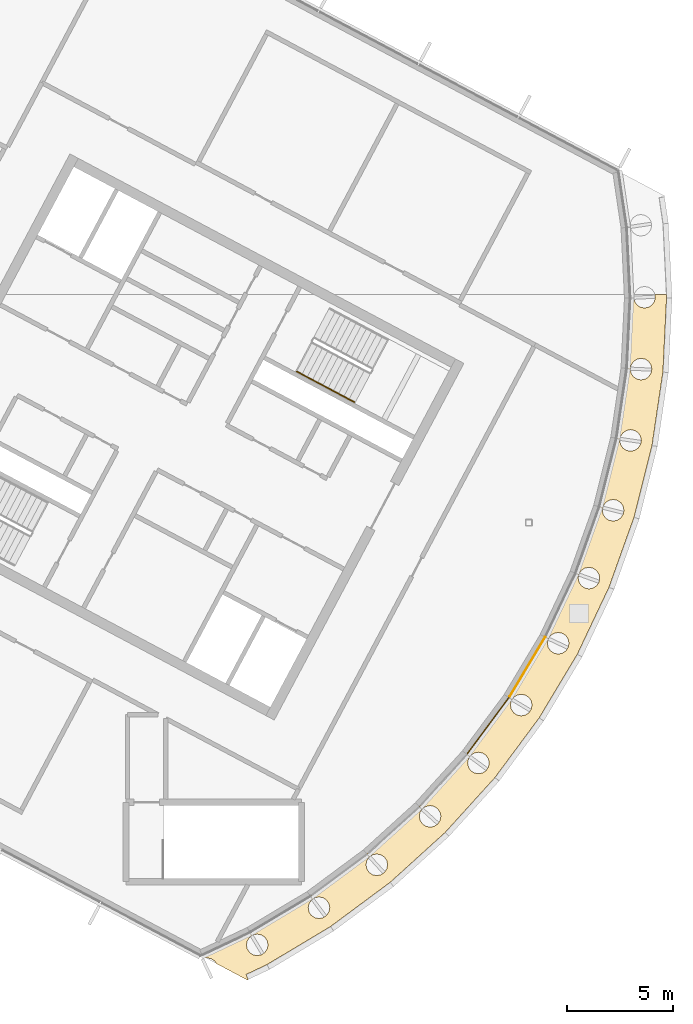
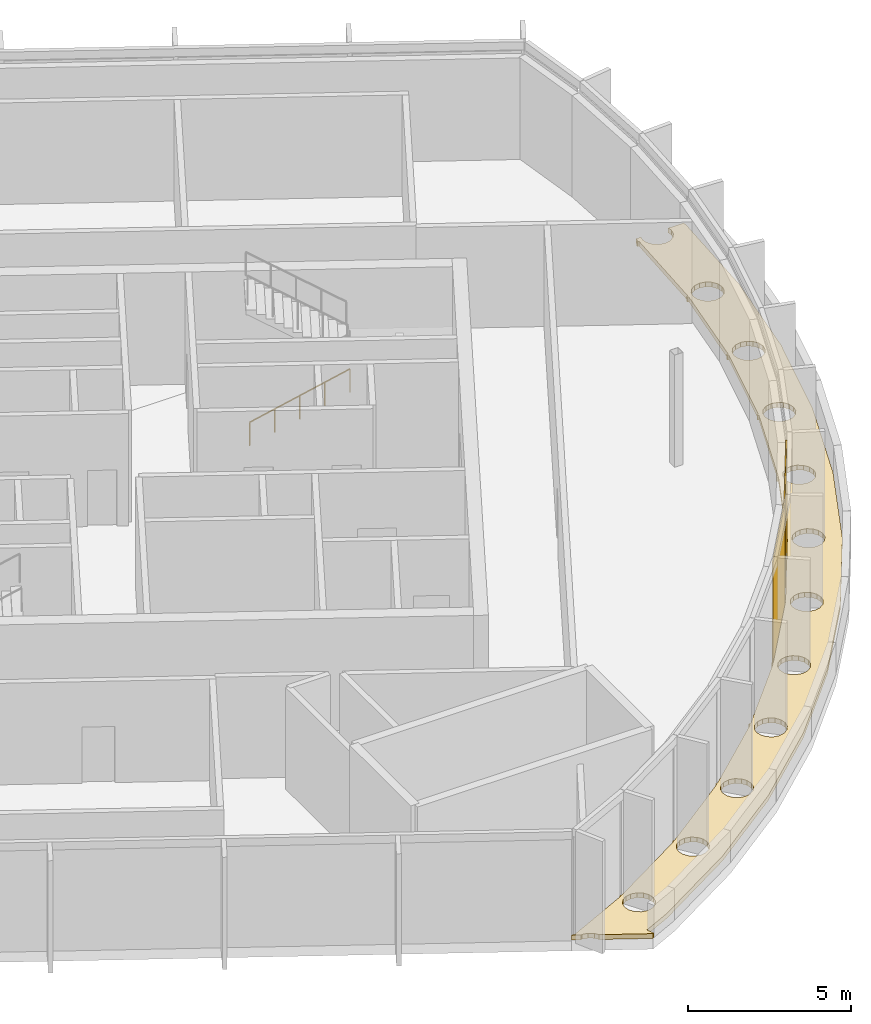
# One storey, part 11 of 13: 3 coverings, 1 railing, 2 elements without a shape of their own.
"""IFC4 building model written with IfcOpenShell, lengths in metres."""

from ifc_helpers import new_model, si_unit, direction, frame, origin, origin_2d, place, context, subcontext, project, spatial, polyline, rectangle, outline, extrude, material, layer, layer_set, type_object, element, aggregate, save


model = new_model("IFC4")

# Units and contexts
model_context = context("Model", 3, precision=1e-05, world=origin(), true_north=direction((0.0, 1.0)))
body_context = subcontext(model_context, "Body", "Model", "MODEL_VIEW")
ifc_project = project(units=[si_unit("LENGTHUNIT", "METRE"), si_unit("AREAUNIT", "SQUARE_METRE"), si_unit("VOLUMEUNIT", "CUBIC_METRE"), si_unit("PLANEANGLEUNIT", "RADIAN"), si_unit("MASSUNIT", "GRAM", prefix="KILO")], contexts=[model_context])

# Site, building, storey
site_placement = place(None, origin())
site = spatial("IfcSite", under=ifc_project, at=site_placement, CompositionType="ELEMENT")
building_placement = place(site_placement, origin())
building = spatial("IfcBuilding", under=site, at=building_placement, Name="Cormorant Relay Tower", CompositionType="ELEMENT")
storey_placement = place(building_placement, frame((0.0, 0.0, 353.39990234375)))
storey = spatial("IfcBuildingStorey", under=building, at=storey_placement, Name="C7", CompositionType="ELEMENT", Elevation=353.39990234375)

# Curtain wall, covering
ifc_material_1 = material(Name="Aluminium 6063-T6 anodised bronze", Category="aluminium")
ifc_layer_1 = layer(ifc_material_1, 0.199951171875)
ifc_layer_set_1 = layer_set([ifc_layer_1], Name="CW3 crown screen wall")
curtain_wall_type = type_object("IfcCurtainWallType", Name="CW3 crown screen wall", PredefinedType="NOTDEFINED", material=ifc_layer_set_1)
curtain_wall_1_placement = place(storey_placement, origin())
curtain_wall_1 = element("IfcCurtainWall", 1, at=curtain_wall_1_placement, inside=storey, type_object=curtain_wall_type, Name="CW3 curtain wall 7", PredefinedType="NOTDEFINED")
ifc_material_2 = material(Name="Perforated bronze anodised aluminium screen", Category="aluminium")
ifc_layer_2 = layer(ifc_material_2, 0.0400390625)
ifc_layer_set_2 = layer_set([ifc_layer_2], Name="CW3 perforated bronze screen panel 40")
covering_type_1 = type_object("IfcCoveringType", Name="CW3 perforated bronze screen panel 40", PredefinedType="CLADDING", material=ifc_layer_set_2)
covering_1_placement = place(storey_placement, frame((-12.418212890625, 0.9150390625, 0.000244140625), z_axis=(0.0, 0.0, 1.0), x_axis=(0.595699304492, 0.803207531481, 0.0)))
covering_1 = element("IfcCovering", 2, at=covering_1_placement, type_object=covering_type_1, Name="CW3 panel X00", PredefinedType="CLADDING", context=body_context, shape_type="SweptSolid", body=[
    extrude(rectangle(XDim=3.26171875, YDim=0.0400390625, at=origin_2d()), origin(), (0.0, 0.0, 1.0), 3.89990234375),
])
aggregate(curtain_wall_1, [covering_1])

curtain_wall_2_placement = place(storey_placement, origin())
curtain_wall_2 = element("IfcCurtainWall", 3, at=curtain_wall_2_placement, inside=storey, type_object=curtain_wall_type, Name="CW3 curtain wall 8", PredefinedType="NOTDEFINED")
covering_2_placement = place(storey_placement, frame((-10.568603515625, 3.689697265625, 0.000244140625), z_axis=(0.0, 0.0, 1.0), x_axis=(0.514102744193, 0.85772861, 0.0)))
covering_2 = element("IfcCovering", 4, at=covering_2_placement, type_object=covering_type_1, Name="CW3 panel X00", PredefinedType="CLADDING", context=body_context, shape_type="SweptSolid", body=[
    extrude(rectangle(XDim=3.26171875, YDim=0.0400390625, at=origin_2d()), origin(), (0.0, 0.0, 1.0), 3.89990234375),
])
aggregate(curtain_wall_2, [covering_2])

# Covering
ifc_material_3 = material(Name="Bituminous waterproof membrane on mineral wool insulation")
ifc_layer_3 = layer(ifc_material_3, 0.179931640625)
ifc_layer_set_3 = layer_set([ifc_layer_3], Name="Roof membrane and insulation 180")
covering_type_2 = type_object("IfcCoveringType", Name="Roof membrane and insulation 180", PredefinedType="ROOFING", material=ifc_layer_set_3)
covering_3_placement = place(storey_placement, origin())
element("IfcCovering", 5, at=covering_3_placement, inside=storey, type_object=covering_type_2, Name="Roof membrane", PredefinedType="ROOFING", context=body_context, shape_type="SweptSolid", body=[
    extrude(outline(polyline([(-23.8154296875, -11.12109375), (-25.273193359375, -10.345947265625), (-25.35498046875, -10.2236328125), (-25.5205078125, -10.113037109375), (-25.7158203125, -10.07421875), (-25.765625, -10.084228515625), (-26.013916015625, -9.9521484375), (-25.955810546875, -9.9248046875), (-25.934814453125, -9.968994140625), (-23.6748046875, -8.900146484375), (-23.696044921875, -8.85498046875), (-23.64892578125, -8.82666015625), (-23.623779296875, -8.86865234375), (-20.80908203125, -7.181396484375), (-20.834716796875, -7.138671875), (-20.79052734375, -7.105712890625), (-20.76123046875, -7.145263671875), (-18.12548828125, -5.1904296875), (-18.1552734375, -5.150146484375), (-18.114501953125, -5.11328125), (-18.08154296875, -5.1494140625), (-15.64990234375, -2.94580078125), (-15.68359375, -2.90869140625), (-15.646484375, -2.867919921875), (-15.6103515625, -2.90087890625), (-13.406494140625, -0.46923828125), (-13.443603515625, -0.435791015625), (-13.410888671875, -0.3916015625), (-13.371337890625, -0.4208984375), (-11.41650390625, 2.215087890625), (-11.456787109375, 2.244873046875), (-11.428466796875, 2.2919921875), (-11.386474609375, 2.266845703125), (-9.69921875, 5.08154296875), (-9.7421875, 5.107421875), (-9.718505859375, 5.156982421875), (-9.67431640625, 5.135986328125), (-8.271240234375, 8.1025390625), (-8.31640625, 8.1240234375), (-8.2978515625, 8.17578125), (-8.251708984375, 8.1591796875), (-7.146240234375, 11.2490234375), (-7.193359375, 11.265869140625), (-7.179931640625, 11.3193359375), (-7.13232421875, 11.3076171875), (-6.3349609375, 14.49072265625), (-6.383544921875, 14.5029296875), (-6.37548828125, 14.557373046875), (-6.326904296875, 14.55029296875), (-5.845458984375, 17.796142578125), (-5.89501953125, 17.8037109375), (-5.89208984375, 17.8583984375), (-5.84326171875, 17.856201171875), (-5.68212890625, 21.1337890625), (-5.732177734375, 21.13623046875), (-5.73486328125, 21.191162109375), (-5.685791015625, 21.193603515625), (-5.691162109375, 21.300048828125), (-5.51611328125, 21.300048828125), (-5.543701171875, 21.16064453125), (-5.5048828125, 20.96533203125), (-5.394287109375, 20.7998046875), (-5.228759765625, 20.689208984375), (-5.033447265625, 20.650390625), (-4.83837890625, 20.689208984375), (-4.672607421875, 20.7998046875), (-4.56201171875, 20.96533203125), (-4.523193359375, 21.16064453125), (-4.551025390625, 21.300048828125), (-4.00146484375, 21.300048828125), (-3.992919921875, 21.126220703125), (-4.1650390625, 17.623046875), (-4.6796875, 14.15380859375), (-5.531982421875, 10.75146484375), (-6.71337890625, 7.44921875), (-8.212890625, 4.278564453125), (-10.01611328125, 1.270263671875), (-12.10546875, -1.546875), (-14.4609375, -4.1455078125), (-17.0595703125, -6.5009765625), (-19.876708984375, -8.590087890625), (-22.885009765625, -10.393310546875), (-23.87890625, -10.86328125), (-23.767822265625, -11.098388671875), (-23.8154296875, -11.12109375)]), holes=[polyline([(-5.392333984375, 17.287841796875), (-5.197265625, 17.2490234375), (-5.001953125, 17.287841796875), (-4.83642578125, 17.3984375), (-4.725830078125, 17.564208984375), (-4.68701171875, 17.75927734375), (-4.725830078125, 17.95458984375), (-4.83642578125, 18.1201171875), (-5.001953125, 18.230712890625), (-5.197265625, 18.26953125), (-5.392333984375, 18.230712890625), (-5.55810546875, 18.1201171875), (-5.668701171875, 17.95458984375), (-5.70751953125, 17.75927734375), (-5.668701171875, 17.564208984375), (-5.55810546875, 17.3984375), (-5.392333984375, 17.287841796875)]), polyline([(-5.693603515625, 13.880126953125), (-5.498291015625, 13.9189453125), (-5.332763671875, 14.029541015625), (-5.22216796875, 14.1953125), (-5.183349609375, 14.390380859375), (-5.22216796875, 14.585693359375), (-5.332763671875, 14.751220703125), (-5.498291015625, 14.86181640625), (-5.693603515625, 14.900634765625), (-5.888671875, 14.86181640625), (-6.05419921875, 14.751220703125), (-6.164794921875, 14.585693359375), (-6.20361328125, 14.390380859375), (-6.164794921875, 14.1953125), (-6.05419921875, 14.029541015625), (-5.888671875, 13.9189453125), (-5.693603515625, 13.880126953125)]), polyline([(-6.712890625, 10.614990234375), (-6.517578125, 10.576416015625), (-6.322509765625, 10.614990234375), (-6.15673828125, 10.7255859375), (-6.046142578125, 10.891357421875), (-6.00732421875, 11.08642578125), (-6.046142578125, 11.28173828125), (-6.15673828125, 11.447265625), (-6.322509765625, 11.557861328125), (-6.517578125, 11.5966796875), (-6.712890625, 11.557861328125), (-6.87841796875, 11.447265625), (-6.989013671875, 11.28173828125), (-7.02783203125, 11.08642578125), (-6.989013671875, 10.891357421875), (-6.87841796875, 10.7255859375), (-6.712890625, 10.614990234375)]), polyline([(-7.66162109375, 7.368896484375), (-7.466552734375, 7.40771484375), (-7.30078125, 7.518310546875), (-7.190185546875, 7.68408203125), (-7.151611328125, 7.879150390625), (-7.190185546875, 8.074462890625), (-7.30078125, 8.239990234375), (-7.466552734375, 8.3505859375), (-7.66162109375, 8.389404296875), (-7.85693359375, 8.3505859375), (-8.0224609375, 8.239990234375), (-8.133056640625, 8.074462890625), (-8.171875, 7.879150390625), (-8.133056640625, 7.68408203125), (-8.0224609375, 7.518310546875), (-7.85693359375, 7.40771484375), (-7.66162109375, 7.368896484375)]), polyline([(-9.114501953125, 4.289306640625), (-8.919189453125, 4.327880859375), (-8.753662109375, 4.438720703125), (-8.64306640625, 4.604248046875), (-8.604248046875, 4.79931640625), (-8.64306640625, 4.99462890625), (-8.753662109375, 5.16015625), (-8.919189453125, 5.270751953125), (-9.114501953125, 5.3095703125), (-9.309814453125, 5.270751953125), (-9.475341796875, 5.16015625), (-9.5859375, 4.99462890625), (-9.624755859375, 4.79931640625), (-9.5859375, 4.604248046875), (-9.475341796875, 4.438720703125), (-9.309814453125, 4.327880859375), (-9.114501953125, 4.289306640625)]), polyline([(-11.0576171875, 1.405517578125), (-10.8623046875, 1.36669921875), (-10.6669921875, 1.405517578125), (-10.50146484375, 1.51611328125), (-10.390869140625, 1.681884765625), (-10.35205078125, 1.876953125), (-10.390869140625, 2.072265625), (-10.50146484375, 2.23779296875), (-10.6669921875, 2.348388671875), (-10.8623046875, 2.38720703125), (-11.0576171875, 2.348388671875), (-11.22314453125, 2.23779296875), (-11.333740234375, 2.072265625), (-11.37255859375, 1.876953125), (-11.333740234375, 1.681884765625), (-11.22314453125, 1.51611328125), (-11.0576171875, 1.405517578125)]), polyline([(-12.887939453125, -1.370361328125), (-12.69287109375, -1.33154296875), (-12.527099609375, -1.220947265625), (-12.41650390625, -1.055419921875), (-12.377685546875, -0.860107421875), (-12.41650390625, -0.664794921875), (-12.527099609375, -0.499267578125), (-12.69287109375, -0.388671875), (-12.887939453125, -0.349853515625), (-13.083251953125, -0.388671875), (-13.248779296875, -0.499267578125), (-13.359375, -0.664794921875), (-13.398193359375, -0.860107421875), (-13.359375, -1.055419921875), (-13.248779296875, -1.220947265625), (-13.083251953125, -1.33154296875), (-12.887939453125, -1.370361328125)]), polyline([(-15.367431640625, -3.85693359375), (-15.17236328125, -3.895751953125), (-14.97705078125, -3.85693359375), (-14.8115234375, -3.746337890625), (-14.700927734375, -3.580810546875), (-14.662109375, -3.385498046875), (-14.700927734375, -3.190185546875), (-14.8115234375, -3.024658203125), (-14.97705078125, -2.9140625), (-15.17236328125, -2.875244140625), (-15.367431640625, -2.9140625), (-15.533203125, -3.024658203125), (-15.643798828125, -3.190185546875), (-15.6826171875, -3.385498046875), (-15.643798828125, -3.580810546875), (-15.533203125, -3.746337890625), (-15.367431640625, -3.85693359375)]), polyline([(-17.693115234375, -6.18505859375), (-17.498046875, -6.146240234375), (-17.33251953125, -6.03564453125), (-17.2216796875, -5.8701171875), (-17.18310546875, -5.6748046875), (-17.2216796875, -5.4794921875), (-17.33251953125, -5.31396484375), (-17.498046875, -5.203369140625), (-17.693115234375, -5.16455078125), (-17.888427734375, -5.203369140625), (-18.053955078125, -5.31396484375), (-18.16455078125, -5.4794921875), (-18.203369140625, -5.6748046875), (-18.16455078125, -5.8701171875), (-18.053955078125, -6.03564453125), (-17.888427734375, -6.146240234375), (-17.693115234375, -6.18505859375)]), polyline([(-20.42626953125, -8.21630859375), (-20.231201171875, -8.177490234375), (-20.0654296875, -8.06689453125), (-19.954833984375, -7.901123046875), (-19.916015625, -7.7060546875), (-19.954833984375, -7.5107421875), (-20.0654296875, -7.34521484375), (-20.231201171875, -7.234619140625), (-20.42626953125, -7.19580078125), (-20.62158203125, -7.234619140625), (-20.787109375, -7.34521484375), (-20.897705078125, -7.5107421875), (-20.9365234375, -7.7060546875), (-20.897705078125, -7.901123046875), (-20.787109375, -8.06689453125), (-20.62158203125, -8.177490234375), (-20.42626953125, -8.21630859375)]), polyline([(-23.34521484375, -9.9697265625), (-23.150146484375, -9.930908203125), (-22.984619140625, -9.8203125), (-22.873779296875, -9.65478515625), (-22.835205078125, -9.45947265625), (-22.873779296875, -9.264404296875), (-22.984619140625, -9.0986328125), (-23.150146484375, -8.988037109375), (-23.34521484375, -8.94921875), (-23.54052734375, -8.988037109375), (-23.7060546875, -9.0986328125), (-23.816650390625, -9.264404296875), (-23.85546875, -9.45947265625), (-23.816650390625, -9.65478515625), (-23.7060546875, -9.8203125), (-23.54052734375, -9.930908203125), (-23.34521484375, -9.9697265625)])]), origin(), (0.0, 0.0, 1.0), 0.18017578125),
])

# Railing
ifc_material_4 = material(Name="Steel ASTM A572 Grade 50 (Fy 345 MPa)", Category="steel")
railing_type = type_object("IfcRailingType", Name="Stair handrail 900", PredefinedType="HANDRAIL", material=ifc_material_4)
railing_placement = place(storey_placement, frame((-21.478271484375, 17.6494140625, 0.175048828125)))
element("IfcRailing", 6, at=railing_placement, inside=storey, type_object=railing_type, Name="C7 A1 stair handrail 1", PredefinedType="HANDRAIL", context=body_context, shape_type="SweptSolid", body=[
    extrude(outline(polyline([(0.022216796875, 0.00927734375), (0.00927734375, 0.022216796875), (-0.00927734375, 0.022216796875), (-0.022216796875, 0.00927734375), (-0.022216796875, -0.00927734375), (-0.00927734375, -0.022216796875), (0.00927734375, -0.022216796875), (0.022216796875, -0.00927734375), (0.022216796875, 0.00927734375)])), frame((0.0, 0.0, 0.8759765625), z_axis=(0.748727239859, -0.398124736663, 0.530003975787), x_axis=(0.469489399267, 0.882938108802, 0.0)), (0.0, 0.0, 1.0), 3.632080078125),
    extrude(outline(polyline([(0.019287109375, 0.008056640625), (0.008056640625, 0.019287109375), (-0.008056640625, 0.019287109375), (-0.019287109375, 0.008056640625), (-0.019287109375, -0.008056640625), (-0.008056640625, -0.019287109375), (0.008056640625, -0.019287109375), (0.019287109375, -0.008056640625), (0.019287109375, 0.008056640625)])), origin(), (0.0, 0.0, 1.0), 0.851806640625),
    extrude(outline(polyline([(0.019287109375, 0.008056640625), (0.008056640625, 0.019287109375), (-0.008056640625, 0.019287109375), (-0.019287109375, 0.008056640625), (-0.019287109375, -0.008056640625), (-0.008056640625, -0.019287109375), (0.008056640625, -0.019287109375), (0.019287109375, -0.008056640625), (0.019287109375, 0.008056640625)])), frame((0.679931640625, -0.361572265625, 0.481201171875)), (0.0, 0.0, 1.0), 0.851806640625),
    extrude(outline(polyline([(0.019287109375, 0.008056640625), (0.008056640625, 0.019287109375), (-0.008056640625, 0.019287109375), (-0.019287109375, 0.008056640625), (-0.019287109375, -0.008056640625), (-0.008056640625, -0.019287109375), (0.008056640625, -0.019287109375), (0.019287109375, -0.008056640625), (0.019287109375, 0.008056640625)])), frame((1.35986328125, -0.72314453125, 0.96240234375)), (0.0, 0.0, 1.0), 0.851806640625),
    extrude(outline(polyline([(0.019287109375, 0.008056640625), (0.008056640625, 0.019287109375), (-0.008056640625, 0.019287109375), (-0.019287109375, 0.008056640625), (-0.019287109375, -0.008056640625), (-0.008056640625, -0.019287109375), (0.008056640625, -0.019287109375), (0.019287109375, -0.008056640625), (0.019287109375, 0.008056640625)])), frame((2.03955078125, -1.08447265625, 1.44384765625)), (0.0, 0.0, 1.0), 0.851806640625),
    extrude(outline(polyline([(0.019287109375, 0.008056640625), (0.008056640625, 0.019287109375), (-0.008056640625, 0.019287109375), (-0.019287109375, 0.008056640625), (-0.019287109375, -0.008056640625), (-0.008056640625, -0.019287109375), (0.008056640625, -0.019287109375), (0.019287109375, -0.008056640625), (0.019287109375, 0.008056640625)])), frame((2.719482421875, -1.446044921875, 1.925048828125)), (0.0, 0.0, 1.0), 0.851806640625),
])

save(model, "model.ifc")
